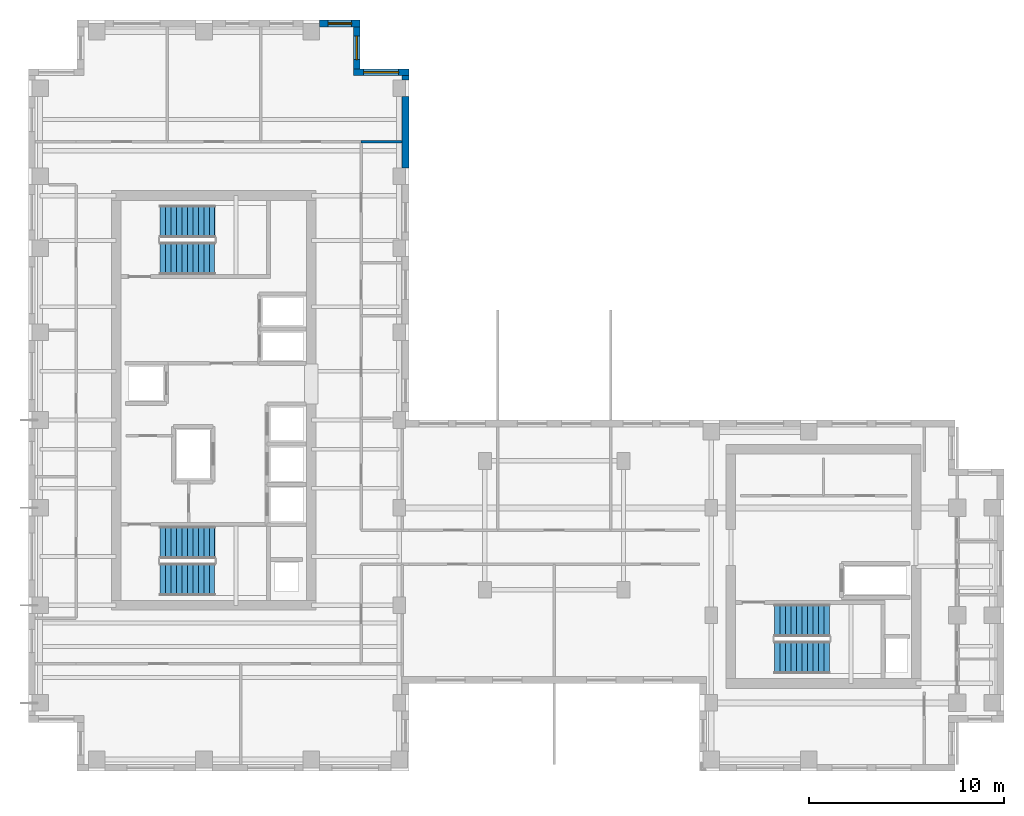
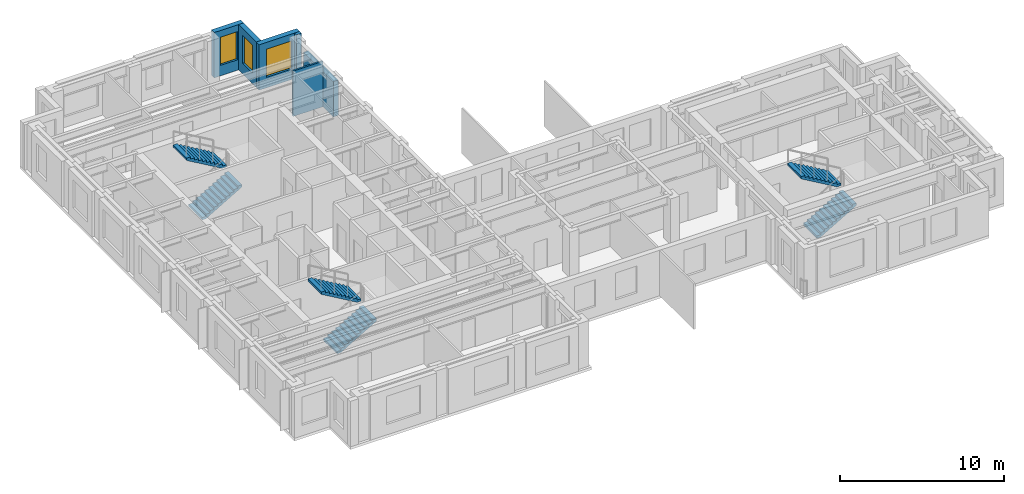
# One storey, part 8 of 10: 6 stair flights, 6 walls, 3 windows, 3 openings, 3 elements without a shape of their own.
"""IFC4 building model written with IfcOpenShell, lengths in metres."""

import ifcopenshell
import ifcopenshell.guid

model = None  # the IFC model being written
_history = None  # IfcOwnerHistory: only IFC2X3 demands one
_inside = {}  # id of a spatial element -> (the spatial element, [elements in it])
_under = {}  # id of a project, library or spatial element -> (it, [spatial elements below it])
_declared = {}  # id of a project -> (the project, [libraries it declares])
_typed = {}  # id of a type object -> (the type object, [elements of that type])
_made_of = {}  # id of a material, layer set ... -> (it, [elements and type objects made of it])


def new_model(schema):
    """Start an empty IFC model of exactly this schema.

    Asked for "IFC4X3", IfcOpenShell would pick the latest addendum, in which some entities
    have other attributes; the version numbers below select the first issue.
    IFC2X3 requires an IfcOwnerHistory on every rooted entity: one is made here for all.
    """
    global model, _history
    if schema == "IFC4X3":
        model = ifcopenshell.file(schema_version=(4, 3, 0, 0))
    else:
        model = ifcopenshell.file(schema=schema)
    _inside.clear()
    _under.clear()
    _declared.clear()
    _typed.clear()
    _made_of.clear()
    _history = None
    if model.schema == "IFC2X3":
        org = make("IfcOrganization", Name="unknown")
        user = make(
            "IfcPersonAndOrganization",
            ThePerson=make("IfcPerson", FamilyName="unknown"),
            TheOrganization=org,
        )
        app = make(
            "IfcApplication",
            ApplicationDeveloper=org,
            Version="unknown",
            ApplicationFullName="unknown",
            ApplicationIdentifier="unknown",
        )
        _history = make(
            "IfcOwnerHistory",
            OwningUser=user,
            OwningApplication=app,
            ChangeAction="ADDED",
            CreationDate=0,
        )
    return model


def make(cls, **values):
    """One entity of the class cls with the attributes given. An attribute that is None is left unset."""
    return model.create_entity(
        cls, **{name: value for name, value in values.items() if value is not None}
    )


def rooted(cls, **values):
    """An entity with a GlobalId (a new one), such as an element, a storey or a relation."""
    return make(cls, GlobalId=ifcopenshell.guid.new(), OwnerHistory=_history, **values)


def si_unit(unit_type, name, prefix=None):
    """IfcSIUnit, for example si_unit("LENGTHUNIT", "METRE", prefix="MILLI")."""
    return make("IfcSIUnit", UnitType=unit_type, Prefix=prefix, Name=name)


def assignment(units):
    """IfcUnitAssignment: the units of a project."""
    return None if units is None else make("IfcUnitAssignment", Units=units)


def point(xyz):
    """IfcCartesianPoint."""
    return None if xyz is None else make("IfcCartesianPoint", Coordinates=xyz)


def direction(xyz):
    """IfcDirection."""
    return None if xyz is None else make("IfcDirection", DirectionRatios=xyz)


def frame(location, z_axis=None, x_axis=None):
    """IfcAxis2Placement3D, a coordinate frame: its origin and axes. An axis left out is left unset."""
    return make(
        "IfcAxis2Placement3D",
        Location=point(location),
        Axis=direction(z_axis),
        RefDirection=direction(x_axis),
    )


def frame_2d(location, x_axis=None):
    """IfcAxis2Placement2D, a coordinate frame in the plane: its origin and x axis."""
    return make(
        "IfcAxis2Placement2D", Location=point(location), RefDirection=direction(x_axis)
    )


def origin():
    """The frame at (0, 0, 0) with its axes left unset."""
    return frame((0.0, 0.0, 0.0))


def place(relative_to, where):
    """IfcLocalPlacement: puts the frame where relative to a parent placement (None: the world)."""
    return make(
        "IfcLocalPlacement", PlacementRelTo=relative_to, RelativePlacement=where
    )


def context(
    kind, dimensions, precision=None, world=None, true_north=None, identifier=None
):
    """IfcGeometricRepresentationContext, for example the 3D "Model" context."""
    return make(
        "IfcGeometricRepresentationContext",
        ContextIdentifier=identifier,
        ContextType=kind,
        CoordinateSpaceDimension=dimensions,
        Precision=precision,
        WorldCoordinateSystem=world,
        TrueNorth=true_north,
    )


def subcontext(parent, identifier, kind, view, scale=None):
    """IfcGeometricRepresentationSubContext, for example "Body" below "Model"."""
    return make(
        "IfcGeometricRepresentationSubContext",
        ContextIdentifier=identifier,
        ContextType=kind,
        ParentContext=parent,
        TargetScale=scale,
        TargetView=view,
    )


def project(units=None, contexts=None):
    """IfcProject with its units and contexts."""
    return rooted(
        "IfcProject",
        Name="project",
        RepresentationContexts=contexts,
        UnitsInContext=assignment(units),
    )


def spatial(cls, under=None, at=None, **own):
    """A site, building, storey or space (cls), placed at a placement, below another one or the project."""
    s = rooted(cls, ObjectPlacement=at, **own)
    if under is not None:
        _under.setdefault(under.id(), (under, []))[1].append(s)
    return s


def polyline(points):
    """IfcPolyline through the points."""
    return make("IfcPolyline", Points=[point(p) for p in points])


def profile(cls, at=None, kind="AREA", **sizes):
    """A parametric profile (cls). Its sizes go by their IFC names, for example OverallWidth=200.0."""
    return make(cls, ProfileType=kind, Position=at, **sizes)


def rectangle(**sizes):
    """IfcRectangleProfileDef."""
    return profile("IfcRectangleProfileDef", **sizes)


def outline(outer, holes=None, kind="AREA"):
    """IfcArbitraryClosedProfileDef: a profile drawn as a closed curve; with holes, ...WithVoids."""
    if holes is None:
        return make("IfcArbitraryClosedProfileDef", ProfileType=kind, OuterCurve=outer)
    return make(
        "IfcArbitraryProfileDefWithVoids",
        ProfileType=kind,
        OuterCurve=outer,
        InnerCurves=holes,
    )


def extrude(swept, where, along, depth):
    """IfcExtrudedAreaSolid: the profile swept, set in the frame where, extruded along a direction by depth."""
    return make(
        "IfcExtrudedAreaSolid",
        SweptArea=swept,
        Position=where,
        ExtrudedDirection=direction(along),
        Depth=depth,
    )


def shape(context_of_items, identifier, shape_type, items):
    """IfcShapeRepresentation: the items that make up one representation, for example the "Body"."""
    return make(
        "IfcShapeRepresentation",
        ContextOfItems=context_of_items,
        RepresentationIdentifier=identifier,
        RepresentationType=shape_type,
        Items=items,
    )


def source(mapping_origin, context_of_items, identifier, shape_type, items):
    """IfcRepresentationMap: a shape defined once, which mapped items show again and again."""
    return make(
        "IfcRepresentationMap",
        MappingOrigin=mapping_origin,
        MappedRepresentation=shape(context_of_items, identifier, shape_type, items),
    )


def transform(
    local_origin,
    x_axis=None,
    y_axis=None,
    z_axis=None,
    scale=None,
    scale2=None,
    scale3=None,
    uniform=True,
):
    """IfcCartesianTransformationOperator3D, or its non-uniform kind. x_axis, y_axis, z_axis: its Axis1, 2, 3."""
    if uniform:
        return make(
            "IfcCartesianTransformationOperator3D",
            Axis1=direction(x_axis),
            Axis2=direction(y_axis),
            LocalOrigin=point(local_origin),
            Scale=scale,
            Axis3=direction(z_axis),
        )
    return make(
        "IfcCartesianTransformationOperator3DnonUniform",
        Axis1=direction(x_axis),
        Axis2=direction(y_axis),
        LocalOrigin=point(local_origin),
        Scale=scale,
        Axis3=direction(z_axis),
        Scale2=scale2,
        Scale3=scale3,
    )


def mapped(mapping_source, mapping_target):
    """IfcMappedItem: shows the shape of a source again, moved by a transform."""
    return make(
        "IfcMappedItem", MappingSource=mapping_source, MappingTarget=mapping_target
    )


def material(Name=None, Category=None):
    """IfcMaterial."""
    return make("IfcMaterial", Name=Name, Category=Category)


def layer(
    of_material, thickness, ventilated=None, Name=None, Category=None, Priority=None
):
    """IfcMaterialLayer: one layer of a wall or slab, of a material (None: an air gap)."""
    return make(
        "IfcMaterialLayer",
        Material=of_material,
        LayerThickness=thickness,
        IsVentilated=ventilated,
        Name=Name,
        Category=Category,
        Priority=Priority,
    )


def layer_set(layers, Name=None):
    """IfcMaterialLayerSet."""
    return make("IfcMaterialLayerSet", MaterialLayers=layers, LayerSetName=Name)


def made_of(thing, what):
    """Note that an element or type object is made of a material, layer set ...; save() writes the relation."""
    if what is not None:
        _made_of.setdefault(what.id(), (what, []))[1].append(thing)
    return thing


def type_object(cls, material=None, **own):
    """A type object (cls), such as IfcWallType, which elements share."""
    return made_of(rooted(cls, **own), material)


def element(
    cls,
    number,
    at=None,
    inside=None,
    cuts=None,
    type_object=None,
    material=None,
    context=None,
    identifier="Body",
    shape_type=None,
    held_by="IfcProductDefinitionShape",
    body=None,
    shapes=None,
    **own,
):
    """One element of the class cls, such as IfcWall. Its Tag is "e" and its number.

    at: its placement. inside: the storey or other place that contains it. cuts: it is an
    opening in that element (IfcRelVoidsElement). A single representation is given by context,
    identifier, shape_type and body (its items); several are given by shapes. held_by: the class
    of the entity that holds the representations. save() writes the other relations.
    """
    e = rooted(cls, Tag="e%d" % number, ObjectPlacement=at, **own)
    if body is not None:
        shapes = [shape(context, identifier, shape_type, body)]
    if shapes is not None:
        e.Representation = make(held_by, Representations=shapes)
    if inside is not None:
        _inside.setdefault(inside.id(), (inside, []))[1].append(e)
    if cuts is not None:
        rooted(
            "IfcRelVoidsElement", RelatingBuildingElement=cuts, RelatedOpeningElement=e
        )
    if type_object is not None:
        _typed.setdefault(type_object.id(), (type_object, []))[1].append(e)
    return made_of(e, material)


def fill(opening, filler):
    """IfcRelFillsElement: the door or window that sits in an opening."""
    return rooted(
        "IfcRelFillsElement",
        RelatingOpeningElement=opening,
        RelatedBuildingElement=filler,
    )


def aggregate(whole, parts):
    """IfcRelAggregates: a whole, such as a stair, and the parts it consists of."""
    return rooted("IfcRelAggregates", RelatingObject=whole, RelatedObjects=parts)


def save(model, path):
    """Write the relations noted so far, then the file.

    IfcRelAggregates (storeys below a building ...), IfcRelContainedInSpatialStructure (elements
    in a storey), IfcRelDefinesByType, IfcRelAssociatesMaterial and IfcRelDeclares: one each for
    every whole, place, type object, material and project.
    """
    for whole, parts in _under.values():
        aggregate(whole, parts)
    for where, things in _inside.values():
        rooted(
            "IfcRelContainedInSpatialStructure",
            RelatedElements=things,
            RelatingStructure=where,
        )
    for kind, things in _typed.values():
        rooted("IfcRelDefinesByType", RelatedObjects=things, RelatingType=kind)
    for what, things in _made_of.values():
        rooted("IfcRelAssociatesMaterial", RelatedObjects=things, RelatingMaterial=what)
    for by, libraries in _declared.values():
        rooted("IfcRelDeclares", RelatingContext=by, RelatedDefinitions=libraries)
    model.write(path)


model = new_model("IFC4")

# Units and contexts
model_context = context("Model", 3, precision=1e-05, world=origin(), true_north=direction((0.0, 1.0)))
body_context = subcontext(model_context, "Body", "Model", "MODEL_VIEW")
ifc_project = project(units=[si_unit("LENGTHUNIT", "METRE"), si_unit("AREAUNIT", "SQUARE_METRE"), si_unit("VOLUMEUNIT", "CUBIC_METRE"), si_unit("PLANEANGLEUNIT", "RADIAN"), si_unit("MASSUNIT", "GRAM", prefix="KILO")], contexts=[model_context])

# Site, building, storey
site_placement = place(None, origin())
site = spatial("IfcSite", under=ifc_project, at=site_placement, CompositionType="ELEMENT")
building_placement = place(site_placement, origin())
building = spatial("IfcBuilding", under=site, at=building_placement, Name="Kharzan Plaza Tower", CompositionType="ELEMENT")
storey_placement = place(building_placement, frame((0.0, 0.0, 216.0)))
storey = spatial("IfcBuildingStorey", under=building, at=storey_placement, Name="L58", CompositionType="ELEMENT", Elevation=216.0)

# Wall, opening, window
ifc_material_1 = material(Name="Concrete C40/50", Category="concrete")
ifc_layer_1 = layer(ifc_material_1, 0.35009765625)
ifc_layer_set_1 = layer_set([ifc_layer_1], Name="Concrete C40/50")
wall_type_1 = type_object("IfcWallType", Name="WL-EXT-MAS-Z4", PredefinedType="SOLIDWALL", material=ifc_layer_set_1)
wall_1_placement = place(storey_placement, frame((19.5, 35.824951171875, 0.0), z_axis=(0.0, 0.0, 1.0), x_axis=(-1.0, 0.0, 0.0)))
wall_1 = element("IfcWall", 1, at=wall_1_placement, inside=storey, type_object=wall_type_1, Name="L58 Masonry-Frame Exterior Wall 01", PredefinedType="SOLIDWALL", context=body_context, shape_type="SweptSolid", body=[
    extrude(rectangle(XDim=2.85009765625, YDim=0.35009765625, at=frame_2d((1.425048828125, 0.0))), origin(), (0.0, 0.0, 1.0), 3.385009765625),
])
opening_1_placement = place(wall_1_placement, frame((0.52490234375, 0.0, 0.780029296875)))
opening_1 = element("IfcOpeningElement", 2, at=opening_1_placement, cuts=wall_1, Name="Opening W1", PredefinedType="OPENING", context=body_context, shape_type="SweptSolid", body=[
    extrude(rectangle(XDim=1.800048828125, YDim=2.10009765625, at=frame_2d((0.89990234375, 1.050048828125))), frame((0.0, 0.18505859375, 0.0), z_axis=(0.0, -1.0, 0.0), x_axis=(1.0, 0.0, 0.0)), (0.0, 0.0, 1.0), 0.3701171875),
])
ifc_material_2 = material(Name="Low-E Double Glazing", Category="glass")
window_type_1 = type_object("IfcWindowType", Name="WN-REC-1800x2100", PartitioningType="SINGLE_PANEL", PredefinedType="WINDOW", material=ifc_material_2)
shared_shape_1 = source(origin(), body_context, "Body", "SweptSolid", [
    extrude(rectangle(XDim=1.800048828125, YDim=2.10009765625, at=frame_2d((0.89990234375, 1.050048828125))), frame((0.0, 0.030029296875, 0.0), z_axis=(0.0, -1.0, 0.0), x_axis=(1.0, 0.0, 0.0)), (0.0, 0.0, 1.0), 0.06005859375),
])
window_1_placement = place(opening_1_placement, origin())
window_1 = element("IfcWindow", 3, at=window_1_placement, inside=storey, type_object=window_type_1, Name="L58 Recessed Solar-Control Window 01-1", OverallHeight=2.10009765625, OverallWidth=1.800048828125, PartitioningType="SINGLE_PANEL", PredefinedType="WINDOW", context=body_context, shape_type="MappedRepresentation", body=[
    mapped(shared_shape_1, transform((0.0, 0.0, 0.0), x_axis=(1.0, 0.0, 0.0), y_axis=(0.0, 1.0, 0.0), z_axis=(0.0, 0.0, 1.0))),
])
fill(opening_1, window_1)

wall_2_placement = place(storey_placement, frame((16.824951171875, 35.998046875, 0.0), z_axis=(0.0, 0.0, 1.0), x_axis=(0.0, 1.0, 0.0)))
wall_2 = element("IfcWall", 4, at=wall_2_placement, inside=storey, type_object=wall_type_1, Name="L58 Masonry-Frame Exterior Wall 02", PredefinedType="SOLIDWALL", context=body_context, shape_type="SweptSolid", body=[
    extrude(rectangle(XDim=2.154052734375, YDim=0.35009765625, at=frame_2d((1.0771484375, 0.0))), origin(), (0.0, 0.0, 1.0), 3.385009765625),
])
opening_2_placement = place(wall_2_placement, frame((0.47705078125, 0.0, 0.780029296875)))
opening_2 = element("IfcOpeningElement", 5, at=opening_2_placement, cuts=wall_2, Name="Opening W3", PredefinedType="OPENING", context=body_context, shape_type="SweptSolid", body=[
    extrude(rectangle(XDim=1.199951171875, YDim=2.10009765625, at=frame_2d((0.60009765625, 1.050048828125))), frame((0.0, 0.18505859375, 0.0), z_axis=(0.0, -1.0, 0.0), x_axis=(1.0, 0.0, 0.0)), (0.0, 0.0, 1.0), 0.3701171875),
])
window_type_2 = type_object("IfcWindowType", Name="WN-REC-1200x2100", PartitioningType="SINGLE_PANEL", PredefinedType="WINDOW", material=ifc_material_2)
shared_shape_2 = source(origin(), body_context, "Body", "SweptSolid", [
    extrude(rectangle(XDim=1.199951171875, YDim=2.10009765625, at=frame_2d((0.60009765625, 1.050048828125))), frame((0.0, 0.030029296875, 0.0), z_axis=(0.0, -1.0, 0.0), x_axis=(1.0, 0.0, 0.0)), (0.0, 0.0, 1.0), 0.06005859375),
])
window_2_placement = place(opening_2_placement, origin())
window_2 = element("IfcWindow", 6, at=window_2_placement, inside=storey, type_object=window_type_2, Name="L58 Recessed Solar-Control Window 02-1", OverallHeight=2.10009765625, OverallWidth=1.199951171875, PartitioningType="SINGLE_PANEL", PredefinedType="WINDOW", context=body_context, shape_type="MappedRepresentation", body=[
    mapped(shared_shape_2, transform((0.0, 0.0, 0.0), x_axis=(1.0, 0.0, 0.0), y_axis=(0.0, 1.0, 0.0), z_axis=(0.0, 0.0, 1.0))),
])
fill(opening_2, window_2)

wall_3_placement = place(storey_placement, frame((17.0, 38.324951171875, 0.0), z_axis=(0.0, 0.0, 1.0), x_axis=(-1.0, 0.0, 0.0)))
wall_3 = element("IfcWall", 7, at=wall_3_placement, inside=storey, type_object=wall_type_1, Name="L58 Masonry-Frame Exterior Wall 03", PredefinedType="SOLIDWALL", context=body_context, shape_type="SweptSolid", body=[
    extrude(rectangle(XDim=2.076904296875, YDim=0.35009765625, at=frame_2d((1.03857421875, 0.0))), origin(), (0.0, 0.0, 1.0), 3.385009765625),
])
opening_3_placement = place(wall_3_placement, frame((0.4384765625, 0.0, 0.780029296875)))
opening_3 = element("IfcOpeningElement", 8, at=opening_3_placement, cuts=wall_3, Name="Opening W3", PredefinedType="OPENING", context=body_context, shape_type="SweptSolid", body=[
    extrude(rectangle(XDim=1.199951171875, YDim=2.10009765625, at=frame_2d((0.60009765625, 1.050048828125))), frame((0.0, 0.18505859375, 0.0), z_axis=(0.0, -1.0, 0.0), x_axis=(1.0, 0.0, 0.0)), (0.0, 0.0, 1.0), 0.3701171875),
])
window_3_placement = place(opening_3_placement, origin())
window_3 = element("IfcWindow", 9, at=window_3_placement, inside=storey, type_object=window_type_2, Name="L58 Recessed Solar-Control Window 03-1", OverallHeight=2.10009765625, OverallWidth=1.199951171875, PartitioningType="SINGLE_PANEL", PredefinedType="WINDOW", context=body_context, shape_type="MappedRepresentation", body=[
    mapped(shared_shape_2, transform((0.0, 0.0, 0.0), x_axis=(1.0, 0.0, 0.0), y_axis=(0.0, 1.0, 0.0), z_axis=(0.0, 0.0, 1.0))),
])
fill(opening_3, window_3)

# Walls
ifc_material_3 = material(Name="Fire-Rated Gypsum Board Partition", Category="gypsum")
ifc_layer_2 = layer(ifc_material_3, 0.125)
ifc_layer_set_2 = layer_set([ifc_layer_2], Name="Fire-Rated Gypsum Board Partition")
wall_type_2 = type_object("IfcWallType", Name="WL-INT-PART-125", PredefinedType="PARTITIONING", material=ifc_layer_set_2)
shared_shape_3 = source(origin(), body_context, "Body", "SweptSolid", [
    extrude(rectangle(XDim=2.097900390625, YDim=0.125, at=frame_2d((1.048828125, 0.0))), origin(), (0.0, 0.0, 1.0), 3.385009765625),
])
wall_4_placement = place(storey_placement, frame((17.050048828125, 32.25, 0.0), z_axis=(0.0, 0.0, 1.0), x_axis=(1.0, 0.0, 0.0)))
element("IfcWall", 10, at=wall_4_placement, inside=storey, type_object=wall_type_2, Name="L58 Interior Partition SH-NNE0", PredefinedType="PARTITIONING", context=body_context, shape_type="MappedRepresentation", body=[
    mapped(shared_shape_3, transform((0.0, 0.0, 0.0), x_axis=(1.0, 0.0, 0.0), y_axis=(0.0, 1.0, 0.0), z_axis=(0.0, 0.0, 1.0))),
])
shared_shape_4 = source(origin(), body_context, "Body", "SweptSolid", [
    extrude(rectangle(XDim=0.22900390625, YDim=0.35009765625, at=frame_2d((0.114501953125, 0.0))), origin(), (0.0, 0.0, 1.0), 3.385009765625),
])
wall_5_placement = place(storey_placement, frame((19.324951171875, 35.423095703125, 0.0), z_axis=(0.0, 0.0, 1.0), x_axis=(0.0, 1.0, 0.0)))
element("IfcWall", 11, at=wall_5_placement, inside=storey, type_object=wall_type_1, Name="L58 Masonry-Frame Exterior Wall 46", PredefinedType="SOLIDWALL", context=body_context, shape_type="MappedRepresentation", body=[
    mapped(shared_shape_4, transform((0.0, 0.0, 0.0), x_axis=(1.0, 0.0, 0.0), y_axis=(0.0, 1.0, 0.0), z_axis=(0.0, 0.0, 1.0))),
])
shared_shape_5 = source(origin(), body_context, "Body", "SweptSolid", [
    extrude(rectangle(XDim=3.65380859375, YDim=0.35009765625, at=frame_2d((1.826904296875, 0.0))), origin(), (0.0, 0.0, 1.0), 2.618896484375),
])
wall_6_placement = place(storey_placement, frame((19.324951171875, 30.923095703125, 0.0), z_axis=(0.0, 0.0, 1.0), x_axis=(0.0, 1.0, 0.0)))
element("IfcWall", 12, at=wall_6_placement, inside=storey, type_object=wall_type_1, Name="L58 Masonry-Frame Exterior Wall 45", PredefinedType="SOLIDWALL", context=body_context, shape_type="MappedRepresentation", body=[
    mapped(shared_shape_5, transform((0.0, 0.0, 0.0), x_axis=(1.0, 0.0, 0.0), y_axis=(0.0, 1.0, 0.0), z_axis=(0.0, 0.0, 1.0))),
])

# Stair, stair flights
stair_type_1 = type_object("IfcStairType", Name="STR-ST-1", PredefinedType="HALF_TURN_STAIR", material=ifc_material_1)
stair_1_placement = place(storey_placement, origin())
stair_1 = element("IfcStair", 13, at=stair_1_placement, inside=storey, type_object=stair_type_1, Name="L58 Protected Exit Stair ST-1", PredefinedType="HALF_TURN_STAIR")
stair_flight_type = type_object("IfcStairFlightType", Name="SFL-1650-R173", PredefinedType="STRAIGHT", material=ifc_material_1)
shared_shape_6 = source(origin(), body_context, "Body", "SweptSolid", [
    extrude(outline(polyline([(-0.0029296875, -0.011962890625), (-0.0029296875, 0.0), (0.0, 0.0), (0.0, 0.16357421875), (0.280029296875, 0.16357421875), (0.280029296875, 0.3271484375), (0.56005859375, 0.3271484375), (0.56005859375, 0.49072265625), (0.840087890625, 0.49072265625), (0.840087890625, 0.654296875), (1.1201171875, 0.654296875), (1.1201171875, 0.81787109375), (1.400146484375, 0.81787109375), (1.400146484375, 0.9814453125), (1.68017578125, 0.9814453125), (1.68017578125, 1.14501953125), (1.960205078125, 1.14501953125), (1.960205078125, 1.30859375), (2.240234375, 1.30859375), (2.240234375, 1.47216796875), (2.520263671875, 1.47216796875), (2.520263671875, 1.6357421875), (2.80029296875, 1.6357421875), (2.80029296875, 1.79931640625), (2.80029296875, 1.462158203125), (0.297119140625, 0.0), (0.297119140625, -0.011962890625), (-0.0029296875, -0.011962890625)])), frame((0.0, 0.824951171875, 0.0), z_axis=(0.0, -1.0, 0.0), x_axis=(1.0, 0.0, 0.0)), (0.0, 0.0, 1.0), 1.64990234375),
])
stair_flight_1_placement = place(storey_placement, frame((6.75, 9.824951171875, 0.0), z_axis=(0.0, 0.0, 1.0), x_axis=(1.0, 0.0, 0.0)))
stair_flight_1 = element("IfcStairFlight", 14, at=stair_flight_1_placement, type_object=stair_flight_type, Name="ST-1 flight 1", NumberOfRisers=11, NumberOfTreads=10, PredefinedType="STRAIGHT", RiserHeight=0.163636364, TreadLength=0.28, context=body_context, shape_type="MappedRepresentation", body=[
    mapped(shared_shape_6, transform((0.0, 0.0, 0.0), x_axis=(1.0, 0.0, 0.0), y_axis=(0.0, 1.0, 0.0), z_axis=(0.0, 0.0, 1.0))),
])
stair_flight_2_placement = place(storey_placement, frame((9.550048828125, 11.72509765625, 1.800048828125), z_axis=(0.0, 0.0, 1.0), x_axis=(-1.0, 0.0, 0.0)))
stair_flight_2 = element("IfcStairFlight", 15, at=stair_flight_2_placement, type_object=stair_flight_type, Name="ST-1 flight 2", NumberOfRisers=11, NumberOfTreads=10, PredefinedType="STRAIGHT", RiserHeight=0.163636364, TreadLength=0.28, context=body_context, shape_type="MappedRepresentation", body=[
    mapped(shared_shape_6, transform((0.0, 0.0, 0.0), x_axis=(1.0, 0.0, 0.0), y_axis=(0.0, 1.0, 0.0), z_axis=(0.0, 0.0, 1.0))),
])
aggregate(stair_1, [stair_flight_1, stair_flight_2])

stair_type_2 = type_object("IfcStairType", Name="STR-ST-2", PredefinedType="HALF_TURN_STAIR", material=ifc_material_1)
stair_2_placement = place(storey_placement, origin())
stair_2 = element("IfcStair", 16, at=stair_2_placement, inside=storey, type_object=stair_type_2, Name="L58 Protected Exit Stair ST-2", PredefinedType="HALF_TURN_STAIR")
stair_flight_3_placement = place(storey_placement, frame((6.75, 26.27490234375, 0.0), z_axis=(0.0, 0.0, 1.0), x_axis=(1.0, 0.0, 0.0)))
stair_flight_3 = element("IfcStairFlight", 17, at=stair_flight_3_placement, type_object=stair_flight_type, Name="ST-2 flight 1", NumberOfRisers=11, NumberOfTreads=10, PredefinedType="STRAIGHT", RiserHeight=0.163636364, TreadLength=0.28, context=body_context, shape_type="MappedRepresentation", body=[
    mapped(shared_shape_6, transform((0.0, 0.0, 0.0), x_axis=(1.0, 0.0, 0.0), y_axis=(0.0, 1.0, 0.0), z_axis=(0.0, 0.0, 1.0))),
])
stair_flight_4_placement = place(storey_placement, frame((9.550048828125, 28.175048828125, 1.800048828125), z_axis=(0.0, 0.0, 1.0), x_axis=(-1.0, 0.0, 0.0)))
stair_flight_4 = element("IfcStairFlight", 18, at=stair_flight_4_placement, type_object=stair_flight_type, Name="ST-2 flight 2", NumberOfRisers=11, NumberOfTreads=10, PredefinedType="STRAIGHT", RiserHeight=0.163636364, TreadLength=0.28, context=body_context, shape_type="MappedRepresentation", body=[
    mapped(shared_shape_6, transform((0.0, 0.0, 0.0), x_axis=(1.0, 0.0, 0.0), y_axis=(0.0, 1.0, 0.0), z_axis=(0.0, 0.0, 1.0))),
])
aggregate(stair_2, [stair_flight_3, stair_flight_4])

stair_type_3 = type_object("IfcStairType", Name="STR-ST-3", PredefinedType="HALF_TURN_STAIR", material=ifc_material_1)
stair_3_placement = place(storey_placement, origin())
stair_3 = element("IfcStair", 19, at=stair_3_placement, inside=storey, type_object=stair_type_3, Name="L58 Protected Exit Stair ST-3", PredefinedType="HALF_TURN_STAIR")
stair_flight_5_placement = place(storey_placement, frame((38.25, 5.824951171875, 0.0), z_axis=(0.0, 0.0, 1.0), x_axis=(1.0, 0.0, 0.0)))
stair_flight_5 = element("IfcStairFlight", 20, at=stair_flight_5_placement, type_object=stair_flight_type, Name="ST-3 flight 1", NumberOfRisers=11, NumberOfTreads=10, PredefinedType="STRAIGHT", RiserHeight=0.163636364, TreadLength=0.28, context=body_context, shape_type="MappedRepresentation", body=[
    mapped(shared_shape_6, transform((0.0, 0.0, 0.0), x_axis=(1.0, 0.0, 0.0), y_axis=(0.0, 1.0, 0.0), z_axis=(0.0, 0.0, 1.0))),
])
stair_flight_6_placement = place(storey_placement, frame((41.050048828125, 7.72509765625, 1.800048828125), z_axis=(0.0, 0.0, 1.0), x_axis=(-1.0, 0.0, 0.0)))
stair_flight_6 = element("IfcStairFlight", 21, at=stair_flight_6_placement, type_object=stair_flight_type, Name="ST-3 flight 2", NumberOfRisers=11, NumberOfTreads=10, PredefinedType="STRAIGHT", RiserHeight=0.163636364, TreadLength=0.28, context=body_context, shape_type="MappedRepresentation", body=[
    mapped(shared_shape_6, transform((0.0, 0.0, 0.0), x_axis=(1.0, 0.0, 0.0), y_axis=(0.0, 1.0, 0.0), z_axis=(0.0, 0.0, 1.0))),
])
aggregate(stair_3, [stair_flight_5, stair_flight_6])

save(model, "model.ifc")
